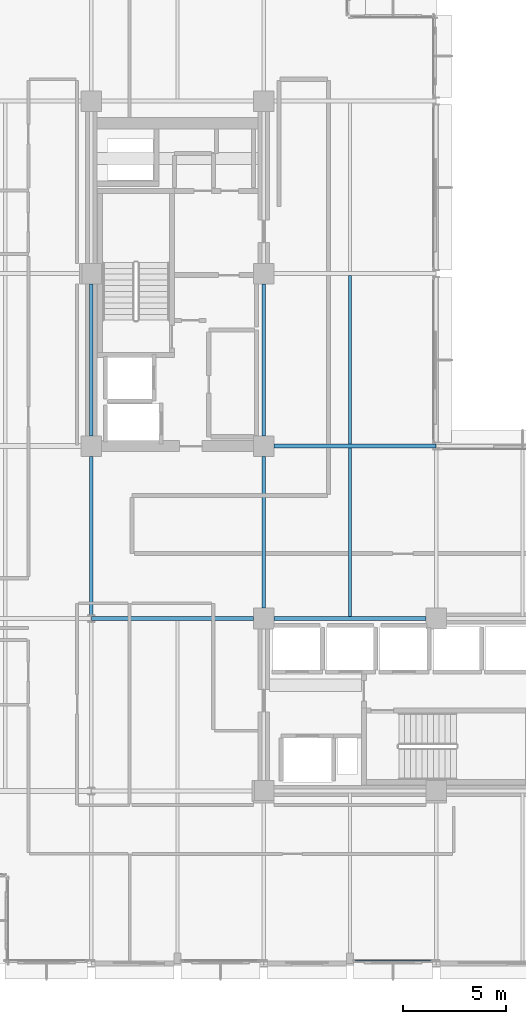
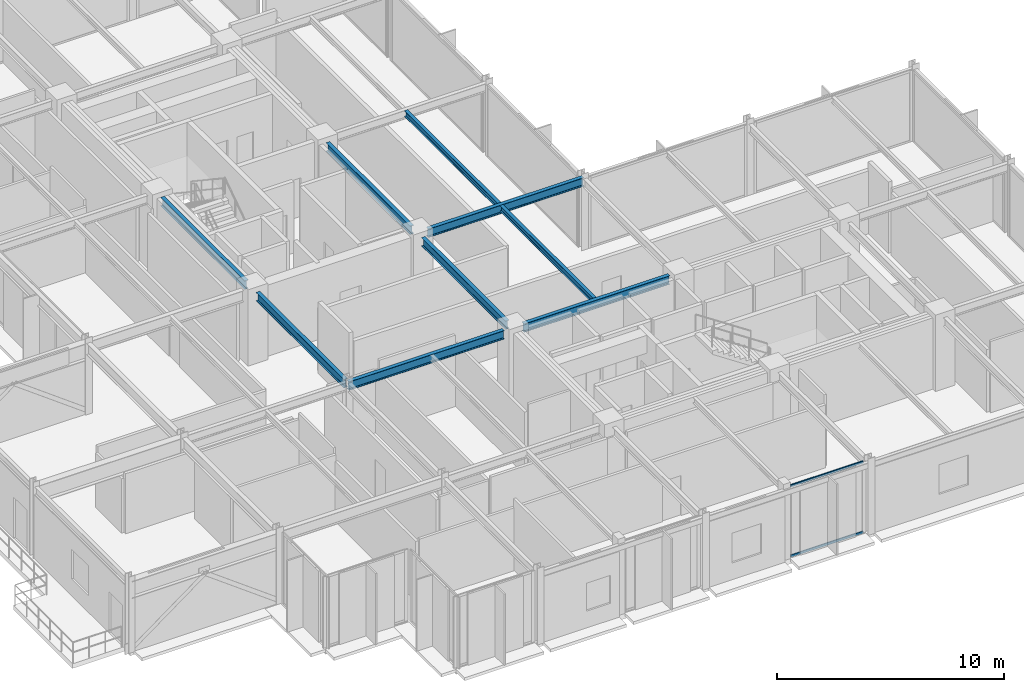
# One storey, part 10 of 30: 9 beams, 2 members, 1 element without a shape of its own.
"""IFC4 building model written with IfcOpenShell, lengths in metres."""

import ifcopenshell
import ifcopenshell.guid

model = None  # the IFC model being written
_history = None  # IfcOwnerHistory: only IFC2X3 demands one
_inside = {}  # id of a spatial element -> (the spatial element, [elements in it])
_under = {}  # id of a project, library or spatial element -> (it, [spatial elements below it])
_declared = {}  # id of a project -> (the project, [libraries it declares])
_typed = {}  # id of a type object -> (the type object, [elements of that type])
_made_of = {}  # id of a material, layer set ... -> (it, [elements and type objects made of it])


def new_model(schema):
    """Start an empty IFC model of exactly this schema.

    Asked for "IFC4X3", IfcOpenShell would pick the latest addendum, in which some entities
    have other attributes; the version numbers below select the first issue.
    IFC2X3 requires an IfcOwnerHistory on every rooted entity: one is made here for all.
    """
    global model, _history
    if schema == "IFC4X3":
        model = ifcopenshell.file(schema_version=(4, 3, 0, 0))
    else:
        model = ifcopenshell.file(schema=schema)
    _inside.clear()
    _under.clear()
    _declared.clear()
    _typed.clear()
    _made_of.clear()
    _history = None
    if model.schema == "IFC2X3":
        org = make("IfcOrganization", Name="unknown")
        user = make(
            "IfcPersonAndOrganization",
            ThePerson=make("IfcPerson", FamilyName="unknown"),
            TheOrganization=org,
        )
        app = make(
            "IfcApplication",
            ApplicationDeveloper=org,
            Version="unknown",
            ApplicationFullName="unknown",
            ApplicationIdentifier="unknown",
        )
        _history = make(
            "IfcOwnerHistory",
            OwningUser=user,
            OwningApplication=app,
            ChangeAction="ADDED",
            CreationDate=0,
        )
    return model


def make(cls, **values):
    """One entity of the class cls with the attributes given. An attribute that is None is left unset."""
    return model.create_entity(
        cls, **{name: value for name, value in values.items() if value is not None}
    )


def rooted(cls, **values):
    """An entity with a GlobalId (a new one), such as an element, a storey or a relation."""
    return make(cls, GlobalId=ifcopenshell.guid.new(), OwnerHistory=_history, **values)


def si_unit(unit_type, name, prefix=None):
    """IfcSIUnit, for example si_unit("LENGTHUNIT", "METRE", prefix="MILLI")."""
    return make("IfcSIUnit", UnitType=unit_type, Prefix=prefix, Name=name)


def assignment(units):
    """IfcUnitAssignment: the units of a project."""
    return None if units is None else make("IfcUnitAssignment", Units=units)


def point(xyz):
    """IfcCartesianPoint."""
    return None if xyz is None else make("IfcCartesianPoint", Coordinates=xyz)


def direction(xyz):
    """IfcDirection."""
    return None if xyz is None else make("IfcDirection", DirectionRatios=xyz)


def frame(location, z_axis=None, x_axis=None):
    """IfcAxis2Placement3D, a coordinate frame: its origin and axes. An axis left out is left unset."""
    return make(
        "IfcAxis2Placement3D",
        Location=point(location),
        Axis=direction(z_axis),
        RefDirection=direction(x_axis),
    )


def frame_2d(location, x_axis=None):
    """IfcAxis2Placement2D, a coordinate frame in the plane: its origin and x axis."""
    return make(
        "IfcAxis2Placement2D", Location=point(location), RefDirection=direction(x_axis)
    )


def origin():
    """The frame at (0, 0, 0) with its axes left unset."""
    return frame((0.0, 0.0, 0.0))


def origin_2d():
    """The frame at (0, 0) in the plane with its x axis left unset."""
    return frame_2d((0.0, 0.0))


def place(relative_to, where):
    """IfcLocalPlacement: puts the frame where relative to a parent placement (None: the world)."""
    return make(
        "IfcLocalPlacement", PlacementRelTo=relative_to, RelativePlacement=where
    )


def context(
    kind, dimensions, precision=None, world=None, true_north=None, identifier=None
):
    """IfcGeometricRepresentationContext, for example the 3D "Model" context."""
    return make(
        "IfcGeometricRepresentationContext",
        ContextIdentifier=identifier,
        ContextType=kind,
        CoordinateSpaceDimension=dimensions,
        Precision=precision,
        WorldCoordinateSystem=world,
        TrueNorth=true_north,
    )


def subcontext(parent, identifier, kind, view, scale=None):
    """IfcGeometricRepresentationSubContext, for example "Body" below "Model"."""
    return make(
        "IfcGeometricRepresentationSubContext",
        ContextIdentifier=identifier,
        ContextType=kind,
        ParentContext=parent,
        TargetScale=scale,
        TargetView=view,
    )


def project(units=None, contexts=None):
    """IfcProject with its units and contexts."""
    return rooted(
        "IfcProject",
        Name="project",
        RepresentationContexts=contexts,
        UnitsInContext=assignment(units),
    )


def spatial(cls, under=None, at=None, **own):
    """A site, building, storey or space (cls), placed at a placement, below another one or the project."""
    s = rooted(cls, ObjectPlacement=at, **own)
    if under is not None:
        _under.setdefault(under.id(), (under, []))[1].append(s)
    return s


def profile(cls, at=None, kind="AREA", **sizes):
    """A parametric profile (cls). Its sizes go by their IFC names, for example OverallWidth=200.0."""
    return make(cls, ProfileType=kind, Position=at, **sizes)


def hollow_rectangle(**sizes):
    """IfcRectangleHollowProfileDef."""
    return profile("IfcRectangleHollowProfileDef", **sizes)


def i_section(**sizes):
    """IfcIShapeProfileDef."""
    return profile("IfcIShapeProfileDef", **sizes)


def extrude(swept, where, along, depth):
    """IfcExtrudedAreaSolid: the profile swept, set in the frame where, extruded along a direction by depth."""
    return make(
        "IfcExtrudedAreaSolid",
        SweptArea=swept,
        Position=where,
        ExtrudedDirection=direction(along),
        Depth=depth,
    )


def shape(context_of_items, identifier, shape_type, items):
    """IfcShapeRepresentation: the items that make up one representation, for example the "Body"."""
    return make(
        "IfcShapeRepresentation",
        ContextOfItems=context_of_items,
        RepresentationIdentifier=identifier,
        RepresentationType=shape_type,
        Items=items,
    )


def material(Name=None, Category=None):
    """IfcMaterial."""
    return make("IfcMaterial", Name=Name, Category=Category)


def layer(
    of_material, thickness, ventilated=None, Name=None, Category=None, Priority=None
):
    """IfcMaterialLayer: one layer of a wall or slab, of a material (None: an air gap)."""
    return make(
        "IfcMaterialLayer",
        Material=of_material,
        LayerThickness=thickness,
        IsVentilated=ventilated,
        Name=Name,
        Category=Category,
        Priority=Priority,
    )


def layer_set(layers, Name=None):
    """IfcMaterialLayerSet."""
    return make("IfcMaterialLayerSet", MaterialLayers=layers, LayerSetName=Name)


def material_profile(
    of_material, cross_section, Name=None, Category=None, Priority=None
):
    """IfcMaterialProfile: a cross section and its material."""
    return make(
        "IfcMaterialProfile",
        Name=Name,
        Material=of_material,
        Profile=cross_section,
        Priority=Priority,
        Category=Category,
    )


def profile_set(profiles, Name=None, composite=None):
    """IfcMaterialProfileSet."""
    return make(
        "IfcMaterialProfileSet",
        Name=Name,
        MaterialProfiles=profiles,
        CompositeProfile=composite,
    )


def made_of(thing, what):
    """Note that an element or type object is made of a material, layer set ...; save() writes the relation."""
    if what is not None:
        _made_of.setdefault(what.id(), (what, []))[1].append(thing)
    return thing


def type_object(cls, material=None, **own):
    """A type object (cls), such as IfcWallType, which elements share."""
    return made_of(rooted(cls, **own), material)


def element(
    cls,
    number,
    at=None,
    inside=None,
    cuts=None,
    type_object=None,
    material=None,
    context=None,
    identifier="Body",
    shape_type=None,
    held_by="IfcProductDefinitionShape",
    body=None,
    shapes=None,
    **own,
):
    """One element of the class cls, such as IfcWall. Its Tag is "e" and its number.

    at: its placement. inside: the storey or other place that contains it. cuts: it is an
    opening in that element (IfcRelVoidsElement). A single representation is given by context,
    identifier, shape_type and body (its items); several are given by shapes. held_by: the class
    of the entity that holds the representations. save() writes the other relations.
    """
    e = rooted(cls, Tag="e%d" % number, ObjectPlacement=at, **own)
    if body is not None:
        shapes = [shape(context, identifier, shape_type, body)]
    if shapes is not None:
        e.Representation = make(held_by, Representations=shapes)
    if inside is not None:
        _inside.setdefault(inside.id(), (inside, []))[1].append(e)
    if cuts is not None:
        rooted(
            "IfcRelVoidsElement", RelatingBuildingElement=cuts, RelatedOpeningElement=e
        )
    if type_object is not None:
        _typed.setdefault(type_object.id(), (type_object, []))[1].append(e)
    return made_of(e, material)


def aggregate(whole, parts):
    """IfcRelAggregates: a whole, such as a stair, and the parts it consists of."""
    return rooted("IfcRelAggregates", RelatingObject=whole, RelatedObjects=parts)


def save(model, path):
    """Write the relations noted so far, then the file.

    IfcRelAggregates (storeys below a building ...), IfcRelContainedInSpatialStructure (elements
    in a storey), IfcRelDefinesByType, IfcRelAssociatesMaterial and IfcRelDeclares: one each for
    every whole, place, type object, material and project.
    """
    for whole, parts in _under.values():
        aggregate(whole, parts)
    for where, things in _inside.values():
        rooted(
            "IfcRelContainedInSpatialStructure",
            RelatedElements=things,
            RelatingStructure=where,
        )
    for kind, things in _typed.values():
        rooted("IfcRelDefinesByType", RelatedObjects=things, RelatingType=kind)
    for what, things in _made_of.values():
        rooted("IfcRelAssociatesMaterial", RelatedObjects=things, RelatingMaterial=what)
    for by, libraries in _declared.values():
        rooted("IfcRelDeclares", RelatingContext=by, RelatedDefinitions=libraries)
    model.write(path)


model = new_model("IFC4")

# Units and contexts
model_context = context("Model", 3, precision=1e-05, world=origin(), true_north=direction((0.0, 1.0)))
body_context = subcontext(model_context, "Body", "Model", "MODEL_VIEW")
ifc_project = project(units=[si_unit("LENGTHUNIT", "METRE"), si_unit("AREAUNIT", "SQUARE_METRE"), si_unit("VOLUMEUNIT", "CUBIC_METRE"), si_unit("PLANEANGLEUNIT", "RADIAN"), si_unit("MASSUNIT", "GRAM", prefix="KILO")], contexts=[model_context])

# Site, building, storey
site_placement = place(None, origin())
site = spatial("IfcSite", under=ifc_project, at=site_placement, CompositionType="ELEMENT")
building_placement = place(site_placement, origin())
building = spatial("IfcBuilding", under=site, at=building_placement, Name="Nerrivon Quay Data Exchange", CompositionType="ELEMENT")
storey_placement = place(building_placement, frame((0.0, 0.0, 171.39990234375)))
storey = spatial("IfcBuildingStorey", under=building, at=storey_placement, Name="L40", CompositionType="ELEMENT", Elevation=171.39990234375)

# Beams
ifc_material_1 = material(Name="Steel Grade 350", Category="steel")
ifc_material_profile_1 = material_profile(ifc_material_1, i_section(OverallWidth=0.19091796875, OverallDepth=0.4599609375, WebThickness=0.010009765625, FlangeThickness=0.01611328125, FilletRadius=0.011474609375, at=origin_2d()), Name="460UB82.1")
ifc_profile_set_1 = profile_set([ifc_material_profile_1], Name="Steel Grade 350")
beam_type_1 = type_object("IfcBeamType", Name="BM-G5-460UB82", PredefinedType="BEAM", material=ifc_profile_set_1)
beam_1_placement = place(storey_placement, frame((8.409912109375, 16.800048828125, 3.59521484375), z_axis=(1.0, 0.0, 0.0), x_axis=(0.0, 1.0, 0.0)))
element("IfcBeam", 1, at=beam_1_placement, inside=storey, type_object=beam_type_1, Name="L40 EW Girder Y=16.8 (8.4..16.8)", PredefinedType="BEAM", context=body_context, shape_type="SweptSolid", body=[
    extrude(i_section(OverallWidth=0.19091796875, OverallDepth=0.4599609375, WebThickness=0.010009765625, FlangeThickness=0.01611328125, FilletRadius=0.011474609375, at=origin_2d()), origin(), (0.0, 0.0, 1.0), 7.89013671875),
])
beam_2_placement = place(storey_placement, frame((17.300048828125, 16.800048828125, 3.59521484375), z_axis=(1.0, 0.0, 0.0), x_axis=(0.0, 1.0, 0.0)))
element("IfcBeam", 2, at=beam_2_placement, inside=storey, type_object=beam_type_1, Name="L40 EW Girder Y=16.8 (16.8..25.2)", PredefinedType="BEAM", context=body_context, shape_type="SweptSolid", body=[
    extrude(i_section(OverallWidth=0.19091796875, OverallDepth=0.4599609375, WebThickness=0.010009765625, FlangeThickness=0.01611328125, FilletRadius=0.011474609375, at=origin_2d()), origin(), (0.0, 0.0, 1.0), 7.39990234375),
])
beam_3_placement = place(storey_placement, frame((17.300048828125, 25.199951171875, 3.59521484375), z_axis=(1.0, 0.0, 0.0), x_axis=(0.0, 1.0, 0.0)))
element("IfcBeam", 3, at=beam_3_placement, inside=storey, type_object=beam_type_1, Name="L40 EW Girder Y=25.2 (16.8..25.2)", PredefinedType="BEAM", context=body_context, shape_type="SweptSolid", body=[
    extrude(i_section(OverallWidth=0.19091796875, OverallDepth=0.4599609375, WebThickness=0.010009765625, FlangeThickness=0.01611328125, FilletRadius=0.011474609375, at=origin_2d()), origin(), (0.0, 0.0, 1.0), 7.889892578125),
])
ifc_material_profile_2 = material_profile(ifc_material_1, i_section(OverallWidth=0.18994140625, OverallDepth=0.4541015625, WebThickness=0.008544921875, FlangeThickness=0.0126953125, FilletRadius=0.011474609375, at=origin_2d()), Name="460UB67.1")
ifc_profile_set_2 = profile_set([ifc_material_profile_2], Name="Steel Grade 350")
beam_type_2 = type_object("IfcBeamType", Name="BM-G6-460UB67", PredefinedType="BEAM", material=ifc_profile_set_2)
beam_4_placement = place(storey_placement, frame((8.39990234375, 16.97509765625, 3.59814453125), z_axis=(0.0, 1.0, 0.0), x_axis=(-1.0, 0.0, 0.0)))
element("IfcBeam", 4, at=beam_4_placement, inside=storey, type_object=beam_type_2, Name="L40 NS Girder X=8.4 (16.8..25.2)", PredefinedType="BEAM", context=body_context, shape_type="SweptSolid", body=[
    extrude(i_section(OverallWidth=0.18994140625, OverallDepth=0.4541015625, WebThickness=0.008544921875, FlangeThickness=0.0126953125, FilletRadius=0.011474609375, at=origin_2d()), origin(), (0.0, 0.0, 1.0), 7.724853515625),
])
beam_5_placement = place(storey_placement, frame((8.39990234375, 25.699951171875, 3.59814453125), z_axis=(0.0, 1.0, 0.0), x_axis=(-1.0, 0.0, 0.0)))
element("IfcBeam", 5, at=beam_5_placement, inside=storey, type_object=beam_type_2, Name="L40 NS Girder X=8.4 (25.2..33.6)", PredefinedType="BEAM", context=body_context, shape_type="SweptSolid", body=[
    extrude(i_section(OverallWidth=0.18994140625, OverallDepth=0.4541015625, WebThickness=0.008544921875, FlangeThickness=0.0126953125, FilletRadius=0.011474609375, at=origin_2d()), origin(), (0.0, 0.0, 1.0), 7.400146484375),
])
beam_6_placement = place(storey_placement, frame((16.800048828125, 17.300048828125, 3.59814453125), z_axis=(0.0, 1.0, 0.0), x_axis=(-1.0, 0.0, 0.0)))
element("IfcBeam", 6, at=beam_6_placement, inside=storey, type_object=beam_type_2, Name="L40 NS Girder X=16.8 (16.8..25.2)", PredefinedType="BEAM", context=body_context, shape_type="SweptSolid", body=[
    extrude(i_section(OverallWidth=0.18994140625, OverallDepth=0.4541015625, WebThickness=0.008544921875, FlangeThickness=0.0126953125, FilletRadius=0.011474609375, at=origin_2d()), origin(), (0.0, 0.0, 1.0), 7.39990234375),
])
beam_7_placement = place(storey_placement, frame((16.800048828125, 25.699951171875, 3.59814453125), z_axis=(0.0, 1.0, 0.0), x_axis=(-1.0, 0.0, 0.0)))
element("IfcBeam", 7, at=beam_7_placement, inside=storey, type_object=beam_type_2, Name="L40 NS Girder X=16.8 (25.2..33.6)", PredefinedType="BEAM", context=body_context, shape_type="SweptSolid", body=[
    extrude(i_section(OverallWidth=0.18994140625, OverallDepth=0.4541015625, WebThickness=0.008544921875, FlangeThickness=0.0126953125, FilletRadius=0.011474609375, at=origin_2d()), origin(), (0.0, 0.0, 1.0), 7.400146484375),
])
ifc_material_profile_3 = material_profile(ifc_material_1, i_section(OverallWidth=0.166015625, OverallDepth=0.306884765625, WebThickness=0.006591796875, FlangeThickness=0.01171875, FilletRadius=0.011474609375, at=origin_2d()), Name="310UB46.2")
ifc_profile_set_3 = profile_set([ifc_material_profile_3], Name="Steel Grade 350")
beam_type_3 = type_object("IfcBeamType", Name="BM-J5-310UB46", PredefinedType="JOIST", material=ifc_profile_set_3)
for number, where, z_axis, x_axis, name in (
    (8, (21.0, 16.8955078125, 3.671630859375), (0.0, 1.0, 0.0), (-1.0, 0.0, 0.0), "L40 Secondary Joist X=21.0 (16.8..25.2)"),
    (9, (21.0, 25.29541015625, 3.671630859375), (0.0, 1.0, 0.0), (-1.0, 0.0, 0.0), "L40 Secondary Joist X=21.0 (25.2..33.6)"),
):
    element("IfcBeam", number, at=place(storey_placement, frame(where, z_axis=z_axis, x_axis=x_axis)), inside=storey, type_object=beam_type_3, Name=name, PredefinedType="JOIST", context=body_context, shape_type="SweptSolid", body=[
        extrude(i_section(OverallWidth=0.166015625, OverallDepth=0.306884765625, WebThickness=0.006591796875, FlangeThickness=0.01171875, FilletRadius=0.011474609375, at=origin_2d()), origin(), (0.0, 0.0, 1.0), 8.208984375),
    ])

# Curtain wall, members
ifc_material_2 = material(Name="Anodised aluminium 6063-T6", Category="aluminium")
ifc_layer = layer(ifc_material_2, 0.195068359375)
ifc_layer_set = layer_set([ifc_layer], Name="Anodised aluminium 6063-T6")
curtain_wall_type = type_object("IfcCurtainWallType", Name="CW-SYS-06", PredefinedType="NOTDEFINED", material=ifc_layer_set)
curtain_wall_placement = place(storey_placement, origin())
curtain_wall = element("IfcCurtainWall", 10, at=curtain_wall_placement, inside=storey, type_object=curtain_wall_type, Name="L40 Unitised Curtain Wall 24", PredefinedType="NOTDEFINED")
ifc_material_profile_4 = material_profile(ifc_material_2, hollow_rectangle(XDim=0.06005859375, YDim=0.1201171875, WallThickness=0.003173828125, at=origin_2d()), Name="ALU-TRAN-120x60")
ifc_profile_set_4 = profile_set([ifc_material_profile_4], Name="Anodised aluminium 6063-T6")
member_type = type_object("IfcMemberType", Name="CWT-120x60", PredefinedType="USERDEFINED", material=ifc_profile_set_4)
member_1_placement = place(storey_placement, frame((24.949951171875, 0.139892578125, 0.03271484375), z_axis=(-1.0, 0.0, 0.0), x_axis=(0.0, -1.0, 0.0)))
member_1 = element("IfcMember", 11, at=member_1_placement, type_object=member_type, Name="CW06 transom 1.1", ObjectType="TRANSOM", PredefinedType="USERDEFINED", context=body_context, shape_type="SweptSolid", body=[
    extrude(hollow_rectangle(XDim=0.06005859375, YDim=0.1201171875, WallThickness=0.003173828125, at=origin_2d()), origin(), (0.0, 0.0, 1.0), 3.699951171875),
])
member_2_placement = place(storey_placement, frame((24.949951171875, 0.139892578125, 3.79248046875), z_axis=(-1.0, 0.0, 0.0), x_axis=(0.0, -1.0, 0.0)))
member_2 = element("IfcMember", 12, at=member_2_placement, type_object=member_type, Name="CW06 transom 1.2", ObjectType="TRANSOM", PredefinedType="USERDEFINED", context=body_context, shape_type="SweptSolid", body=[
    extrude(hollow_rectangle(XDim=0.06005859375, YDim=0.1201171875, WallThickness=0.003173828125, at=origin_2d()), origin(), (0.0, 0.0, 1.0), 3.699951171875),
])
aggregate(curtain_wall, [member_1, member_2])

save(model, "model.ifc")
